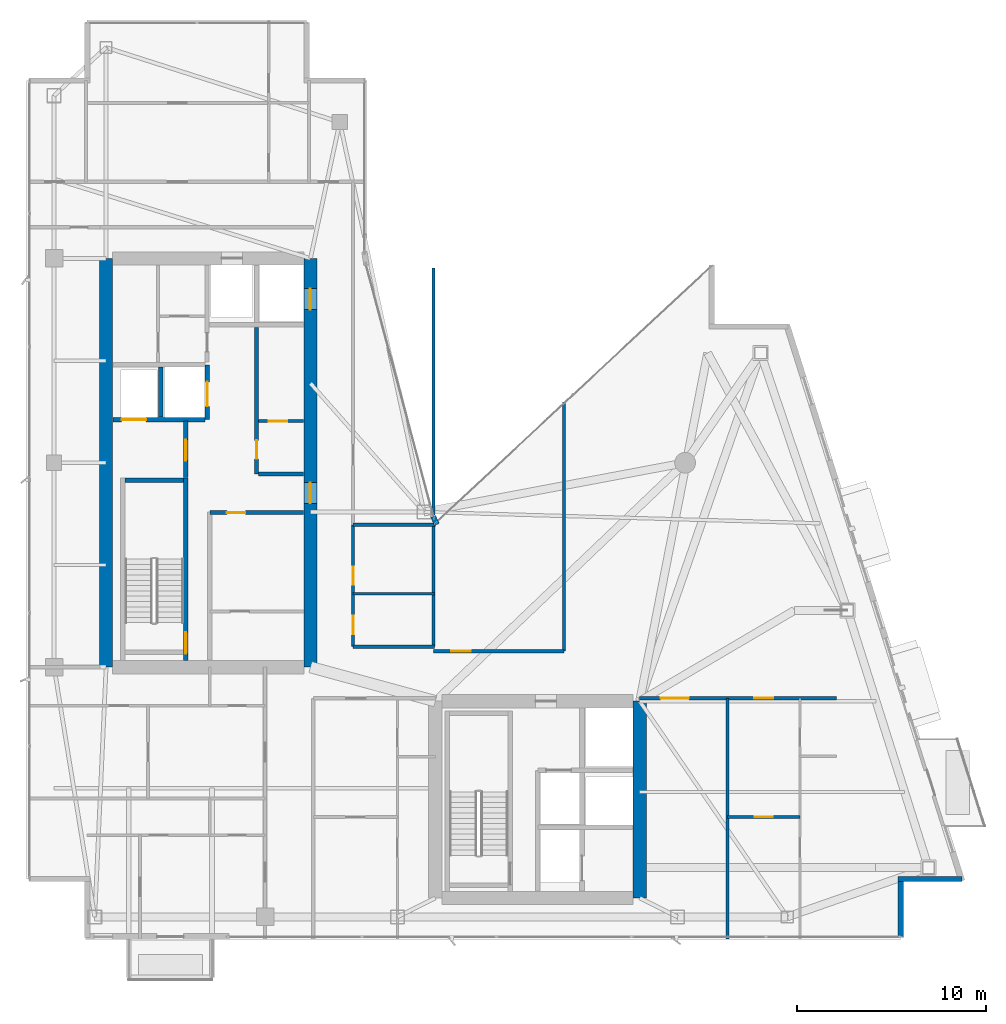
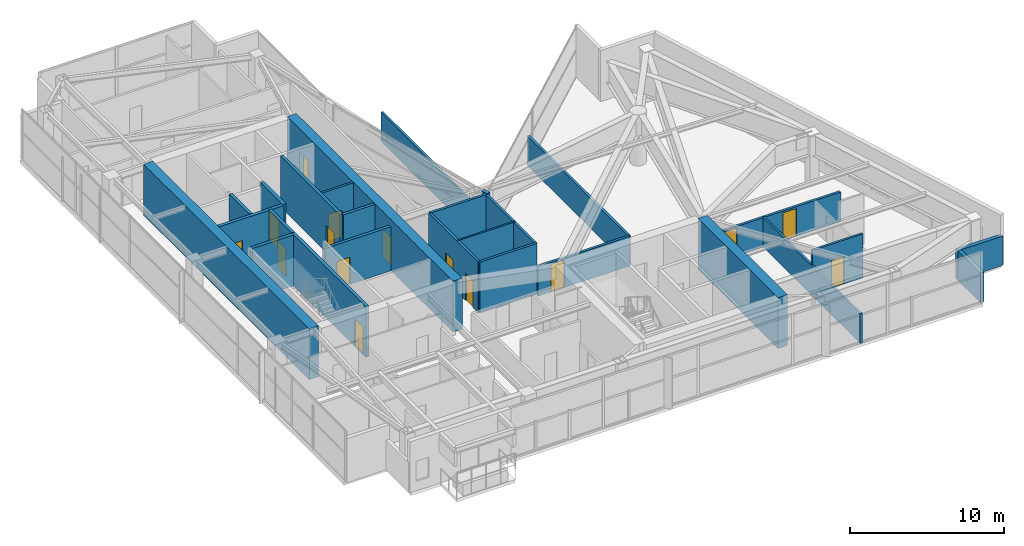
# One storey, part 23 of 27: 27 walls, 15 doors, 15 openings.
"""IFC4 building model written with IfcOpenShell, lengths in metres."""

import ifcopenshell
import ifcopenshell.guid

model = None  # the IFC model being written
_history = None  # IfcOwnerHistory: only IFC2X3 demands one
_inside = {}  # id of a spatial element -> (the spatial element, [elements in it])
_under = {}  # id of a project, library or spatial element -> (it, [spatial elements below it])
_declared = {}  # id of a project -> (the project, [libraries it declares])
_typed = {}  # id of a type object -> (the type object, [elements of that type])
_made_of = {}  # id of a material, layer set ... -> (it, [elements and type objects made of it])


def new_model(schema):
    """Start an empty IFC model of exactly this schema.

    Asked for "IFC4X3", IfcOpenShell would pick the latest addendum, in which some entities
    have other attributes; the version numbers below select the first issue.
    IFC2X3 requires an IfcOwnerHistory on every rooted entity: one is made here for all.
    """
    global model, _history
    if schema == "IFC4X3":
        model = ifcopenshell.file(schema_version=(4, 3, 0, 0))
    else:
        model = ifcopenshell.file(schema=schema)
    _inside.clear()
    _under.clear()
    _declared.clear()
    _typed.clear()
    _made_of.clear()
    _history = None
    if model.schema == "IFC2X3":
        org = make("IfcOrganization", Name="unknown")
        user = make(
            "IfcPersonAndOrganization",
            ThePerson=make("IfcPerson", FamilyName="unknown"),
            TheOrganization=org,
        )
        app = make(
            "IfcApplication",
            ApplicationDeveloper=org,
            Version="unknown",
            ApplicationFullName="unknown",
            ApplicationIdentifier="unknown",
        )
        _history = make(
            "IfcOwnerHistory",
            OwningUser=user,
            OwningApplication=app,
            ChangeAction="ADDED",
            CreationDate=0,
        )
    return model


def make(cls, **values):
    """One entity of the class cls with the attributes given. An attribute that is None is left unset."""
    return model.create_entity(
        cls, **{name: value for name, value in values.items() if value is not None}
    )


def rooted(cls, **values):
    """An entity with a GlobalId (a new one), such as an element, a storey or a relation."""
    return make(cls, GlobalId=ifcopenshell.guid.new(), OwnerHistory=_history, **values)


def si_unit(unit_type, name, prefix=None):
    """IfcSIUnit, for example si_unit("LENGTHUNIT", "METRE", prefix="MILLI")."""
    return make("IfcSIUnit", UnitType=unit_type, Prefix=prefix, Name=name)


def assignment(units):
    """IfcUnitAssignment: the units of a project."""
    return None if units is None else make("IfcUnitAssignment", Units=units)


def point(xyz):
    """IfcCartesianPoint."""
    return None if xyz is None else make("IfcCartesianPoint", Coordinates=xyz)


def direction(xyz):
    """IfcDirection."""
    return None if xyz is None else make("IfcDirection", DirectionRatios=xyz)


def frame(location, z_axis=None, x_axis=None):
    """IfcAxis2Placement3D, a coordinate frame: its origin and axes. An axis left out is left unset."""
    return make(
        "IfcAxis2Placement3D",
        Location=point(location),
        Axis=direction(z_axis),
        RefDirection=direction(x_axis),
    )


def frame_2d(location, x_axis=None):
    """IfcAxis2Placement2D, a coordinate frame in the plane: its origin and x axis."""
    return make(
        "IfcAxis2Placement2D", Location=point(location), RefDirection=direction(x_axis)
    )


def origin():
    """The frame at (0, 0, 0) with its axes left unset."""
    return frame((0.0, 0.0, 0.0))


def place(relative_to, where):
    """IfcLocalPlacement: puts the frame where relative to a parent placement (None: the world)."""
    return make(
        "IfcLocalPlacement", PlacementRelTo=relative_to, RelativePlacement=where
    )


def context(
    kind, dimensions, precision=None, world=None, true_north=None, identifier=None
):
    """IfcGeometricRepresentationContext, for example the 3D "Model" context."""
    return make(
        "IfcGeometricRepresentationContext",
        ContextIdentifier=identifier,
        ContextType=kind,
        CoordinateSpaceDimension=dimensions,
        Precision=precision,
        WorldCoordinateSystem=world,
        TrueNorth=true_north,
    )


def subcontext(parent, identifier, kind, view, scale=None):
    """IfcGeometricRepresentationSubContext, for example "Body" below "Model"."""
    return make(
        "IfcGeometricRepresentationSubContext",
        ContextIdentifier=identifier,
        ContextType=kind,
        ParentContext=parent,
        TargetScale=scale,
        TargetView=view,
    )


def project(units=None, contexts=None):
    """IfcProject with its units and contexts."""
    return rooted(
        "IfcProject",
        Name="project",
        RepresentationContexts=contexts,
        UnitsInContext=assignment(units),
    )


def spatial(cls, under=None, at=None, **own):
    """A site, building, storey or space (cls), placed at a placement, below another one or the project."""
    s = rooted(cls, ObjectPlacement=at, **own)
    if under is not None:
        _under.setdefault(under.id(), (under, []))[1].append(s)
    return s


def profile(cls, at=None, kind="AREA", **sizes):
    """A parametric profile (cls). Its sizes go by their IFC names, for example OverallWidth=200.0."""
    return make(cls, ProfileType=kind, Position=at, **sizes)


def rectangle(**sizes):
    """IfcRectangleProfileDef."""
    return profile("IfcRectangleProfileDef", **sizes)


def extrude(swept, where, along, depth):
    """IfcExtrudedAreaSolid: the profile swept, set in the frame where, extruded along a direction by depth."""
    return make(
        "IfcExtrudedAreaSolid",
        SweptArea=swept,
        Position=where,
        ExtrudedDirection=direction(along),
        Depth=depth,
    )


def shape(context_of_items, identifier, shape_type, items):
    """IfcShapeRepresentation: the items that make up one representation, for example the "Body"."""
    return make(
        "IfcShapeRepresentation",
        ContextOfItems=context_of_items,
        RepresentationIdentifier=identifier,
        RepresentationType=shape_type,
        Items=items,
    )


def material(Name=None, Category=None):
    """IfcMaterial."""
    return make("IfcMaterial", Name=Name, Category=Category)


def layer(
    of_material, thickness, ventilated=None, Name=None, Category=None, Priority=None
):
    """IfcMaterialLayer: one layer of a wall or slab, of a material (None: an air gap)."""
    return make(
        "IfcMaterialLayer",
        Material=of_material,
        LayerThickness=thickness,
        IsVentilated=ventilated,
        Name=Name,
        Category=Category,
        Priority=Priority,
    )


def layer_set(layers, Name=None):
    """IfcMaterialLayerSet."""
    return make("IfcMaterialLayerSet", MaterialLayers=layers, LayerSetName=Name)


def made_of(thing, what):
    """Note that an element or type object is made of a material, layer set ...; save() writes the relation."""
    if what is not None:
        _made_of.setdefault(what.id(), (what, []))[1].append(thing)
    return thing


def type_object(cls, material=None, **own):
    """A type object (cls), such as IfcWallType, which elements share."""
    return made_of(rooted(cls, **own), material)


def element(
    cls,
    number,
    at=None,
    inside=None,
    cuts=None,
    type_object=None,
    material=None,
    context=None,
    identifier="Body",
    shape_type=None,
    held_by="IfcProductDefinitionShape",
    body=None,
    shapes=None,
    **own,
):
    """One element of the class cls, such as IfcWall. Its Tag is "e" and its number.

    at: its placement. inside: the storey or other place that contains it. cuts: it is an
    opening in that element (IfcRelVoidsElement). A single representation is given by context,
    identifier, shape_type and body (its items); several are given by shapes. held_by: the class
    of the entity that holds the representations. save() writes the other relations.
    """
    e = rooted(cls, Tag="e%d" % number, ObjectPlacement=at, **own)
    if body is not None:
        shapes = [shape(context, identifier, shape_type, body)]
    if shapes is not None:
        e.Representation = make(held_by, Representations=shapes)
    if inside is not None:
        _inside.setdefault(inside.id(), (inside, []))[1].append(e)
    if cuts is not None:
        rooted(
            "IfcRelVoidsElement", RelatingBuildingElement=cuts, RelatedOpeningElement=e
        )
    if type_object is not None:
        _typed.setdefault(type_object.id(), (type_object, []))[1].append(e)
    return made_of(e, material)


def fill(opening, filler):
    """IfcRelFillsElement: the door or window that sits in an opening."""
    return rooted(
        "IfcRelFillsElement",
        RelatingOpeningElement=opening,
        RelatedBuildingElement=filler,
    )


def aggregate(whole, parts):
    """IfcRelAggregates: a whole, such as a stair, and the parts it consists of."""
    return rooted("IfcRelAggregates", RelatingObject=whole, RelatedObjects=parts)


def save(model, path):
    """Write the relations noted so far, then the file.

    IfcRelAggregates (storeys below a building ...), IfcRelContainedInSpatialStructure (elements
    in a storey), IfcRelDefinesByType, IfcRelAssociatesMaterial and IfcRelDeclares: one each for
    every whole, place, type object, material and project.
    """
    for whole, parts in _under.values():
        aggregate(whole, parts)
    for where, things in _inside.values():
        rooted(
            "IfcRelContainedInSpatialStructure",
            RelatedElements=things,
            RelatingStructure=where,
        )
    for kind, things in _typed.values():
        rooted("IfcRelDefinesByType", RelatedObjects=things, RelatingType=kind)
    for what, things in _made_of.values():
        rooted("IfcRelAssociatesMaterial", RelatedObjects=things, RelatingMaterial=what)
    for by, libraries in _declared.values():
        rooted("IfcRelDeclares", RelatingContext=by, RelatedDefinitions=libraries)
    model.write(path)


model = new_model("IFC4")

# Units and contexts
model_context = context("Model", 3, precision=1e-05, world=origin(), true_north=direction((0.0, 1.0)))
body_context = subcontext(model_context, "Body", "Model", "MODEL_VIEW")
ifc_project = project(units=[si_unit("LENGTHUNIT", "METRE"), si_unit("AREAUNIT", "SQUARE_METRE"), si_unit("VOLUMEUNIT", "CUBIC_METRE"), si_unit("PLANEANGLEUNIT", "RADIAN"), si_unit("MASSUNIT", "GRAM", prefix="KILO")], contexts=[model_context])

# Site, building, storey
site_placement = place(None, origin())
site = spatial("IfcSite", under=ifc_project, at=site_placement, CompositionType="ELEMENT")
building_placement = place(site_placement, origin())
building = spatial("IfcBuilding", under=site, at=building_placement, Name="Calvorn Quay Hotel", CompositionType="ELEMENT")
storey_placement = place(building_placement, frame((0.0, 0.0, 239.300048828125)))
storey = spatial("IfcBuildingStorey", under=building, at=storey_placement, Name="L59", CompositionType="ELEMENT", Elevation=239.300048828125)

# Wall
ifc_material_1 = material(Name="Concrete C45", Category="concrete")
ifc_layer_1 = layer(ifc_material_1, 0.699951171875)
ifc_layer_set_1 = layer_set([ifc_layer_1], Name="WL-CORE-700")
wall_type_1 = type_object("IfcWallType", Name="WL-CORE-700", PredefinedType="SHEAR", material=ifc_layer_set_1)
wall_1_placement = place(storey_placement, frame((4.199951171875, 16.800048828125, 0.0), z_axis=(0.0, 0.0, 1.0), x_axis=(0.0, 1.0, 0.0)))
element("IfcWall", 1, at=wall_1_placement, inside=storey, type_object=wall_type_1, Name="West Core Shear Wall W (L59)", PredefinedType="SHEAR", context=body_context, shape_type="SweptSolid", body=[
    extrude(rectangle(XDim=21.599853515625, YDim=0.699951171875, at=frame_2d((10.7998046875, 0.0))), origin(), (0.0, 0.0, 1.0), 4.050048828125),
])

# Wall, openings, doors
wall_2_placement = place(storey_placement, frame((15.0, 16.800048828125, 0.0), z_axis=(0.0, 0.0, 1.0), x_axis=(0.0, 1.0, 0.0)))
wall_2 = element("IfcWall", 2, at=wall_2_placement, inside=storey, type_object=wall_type_1, Name="West Core Shear Wall E (L59)", PredefinedType="SHEAR", context=body_context, shape_type="SweptSolid", body=[
    extrude(rectangle(XDim=21.599853515625, YDim=0.699951171875, at=frame_2d((10.7998046875, 0.0))), origin(), (0.0, 0.0, 1.0), 4.050048828125),
])
opening_1_placement = place(wall_2_placement, frame((8.64990234375, 0.0, 0.0)))
opening_1 = element("IfcOpeningElement", 3, at=opening_1_placement, cuts=wall_2, Name="Opening D-L59-CW1", PredefinedType="OPENING", context=body_context, shape_type="SweptSolid", body=[
    extrude(rectangle(XDim=1.10009765625, YDim=2.199951171875, at=frame_2d((0.550048828125, 1.10009765625))), frame((0.0, 0.35986328125, 0.0), z_axis=(0.0, -1.0, 0.0), x_axis=(1.0, 0.0, 0.0)), (0.0, 0.0, 1.0), 0.719970703125),
])
opening_2_placement = place(wall_2_placement, frame((18.89990234375, 0.0, 0.0)))
opening_2 = element("IfcOpeningElement", 4, at=opening_2_placement, cuts=wall_2, Name="Opening LD-L59-H1", PredefinedType="OPENING", context=body_context, shape_type="SweptSolid", body=[
    extrude(rectangle(XDim=1.10009765625, YDim=2.199951171875, at=frame_2d((0.550048828125, 1.10009765625))), frame((0.0, 0.35986328125, 0.0), z_axis=(0.0, -1.0, 0.0), x_axis=(1.0, 0.0, 0.0)), (0.0, 0.0, 1.0), 0.719970703125),
])
ifc_material_2 = material(Name="Smoke-Sealed Steel Class A Fire Door", Category="steel")
door_type_1 = type_object("IfcDoorType", Name="DR-FFLOBBY-1100", OperationType="NOTDEFINED", PredefinedType="DOOR", material=ifc_material_2)
door_1_placement = place(opening_1_placement, origin())
door_1 = element("IfcDoor", 5, at=door_1_placement, inside=storey, type_object=door_type_1, Name="West Core Vestibule Fire Door (L59)", OperationType="SINGLE_SWING_RIGHT", OverallHeight=2.199951171875, OverallWidth=1.10009765625, PredefinedType="DOOR", context=body_context, shape_type="SweptSolid", body=[
    extrude(rectangle(XDim=1.10009765625, YDim=2.199951171875, at=frame_2d((0.550048828125, 1.10009765625))), frame((0.0, 0.02490234375, 0.0), z_axis=(0.0, -1.0, 0.0), x_axis=(1.0, 0.0, 0.0)), (0.0, 0.0, 1.0), 0.050048828125),
])
fill(opening_1, door_1)
ifc_material_3 = material(Name="Brushed Stainless Steel Sliding Lift Landing Door", Category="steel")
door_type_2 = type_object("IfcDoorType", Name="DR-LIFT-PASS-1100", OperationType="NOTDEFINED", PredefinedType="DOOR", material=ifc_material_3)
door_2_placement = place(opening_2_placement, origin())
door_2 = element("IfcDoor", 6, at=door_2_placement, inside=storey, type_object=door_type_2, Name="High-Rise Lift PL-H1 Landing Door (L59)", OperationType="DOUBLE_DOOR_SLIDING", OverallHeight=2.199951171875, OverallWidth=1.10009765625, PredefinedType="DOOR", context=body_context, shape_type="SweptSolid", body=[
    extrude(rectangle(XDim=1.10009765625, YDim=2.199951171875, at=frame_2d((0.550048828125, 1.10009765625))), frame((0.0, 0.02490234375, 0.0), z_axis=(0.0, -1.0, 0.0), x_axis=(1.0, 0.0, 0.0)), (0.0, 0.0, 1.0), 0.050048828125),
])
fill(opening_2, door_2)

# Walls
wall_3_placement = place(storey_placement, frame((32.39990234375, 4.60009765625, 0.0), z_axis=(0.0, 0.0, 1.0), x_axis=(0.0, 1.0, 0.0)))
element("IfcWall", 7, at=wall_3_placement, inside=storey, type_object=wall_type_1, Name="East Core Shear Wall E (L59)", PredefinedType="SHEAR", context=body_context, shape_type="SweptSolid", body=[
    extrude(rectangle(XDim=10.39990234375, YDim=0.699951171875, at=frame_2d((5.199951171875, 0.0))), origin(), (0.0, 0.0, 1.0), 4.050048828125),
])
ifc_material_4 = material(Name="Acoustic Fireboard Steel-Stud Partition", Category="steel")
ifc_layer_2 = layer(ifc_material_4, 0.179931640625)
ifc_layer_set_2 = layer_set([ifc_layer_2], Name="WL-CORR-FIRE-180")
wall_type_2 = type_object("IfcWallType", Name="WL-CORR-FIRE-180", PredefinedType="PARTITIONING", material=ifc_layer_set_2)
wall_4_placement = place(storey_placement, frame((17.25, 17.8798828125, 0.0), z_axis=(0.0, 0.0, 1.0), x_axis=(1.0, 0.0, 0.0)))
element("IfcWall", 8, at=wall_4_placement, inside=storey, type_object=wall_type_2, Name="Partition Wall L59-WL-HK-S", PredefinedType="PARTITIONING", context=body_context, shape_type="SweptSolid", body=[
    extrude(rectangle(XDim=4.300048828125, YDim=0.179931640625, at=frame_2d((2.14990234375, 0.0))), origin(), (0.0, 0.0, 1.0), 4.050048828125),
])
wall_5_placement = place(storey_placement, frame((17.25, 24.320068359375, 0.0), z_axis=(0.0, 0.0, 1.0), x_axis=(1.0, 0.0, 0.0)))
element("IfcWall", 9, at=wall_5_placement, inside=storey, type_object=wall_type_2, Name="Partition Wall L59-WL-HK-N", PredefinedType="PARTITIONING", context=body_context, shape_type="SweptSolid", body=[
    extrude(rectangle(XDim=4.35009765625, YDim=0.179931640625, at=frame_2d((2.175048828125, 0.0))), origin(), (0.0, 0.0, 1.0), 4.050048828125),
])
wall_6_placement = place(storey_placement, frame((21.5, 17.8798828125, 0.0), z_axis=(0.0, 0.0, 1.0), x_axis=(0.0, 1.0, 0.0)))
element("IfcWall", 10, at=wall_6_placement, inside=storey, type_object=wall_type_2, Name="Partition Wall L59-WL-HK-E", PredefinedType="PARTITIONING", context=body_context, shape_type="SweptSolid", body=[
    extrude(rectangle(XDim=6.440185546875, YDim=0.179931640625, at=frame_2d((3.22021484375, 0.0))), origin(), (0.0, 0.0, 1.0), 4.050048828125),
])

# Wall, openings, doors
wall_7_placement = place(storey_placement, frame((17.25, 17.8798828125, 0.0), z_axis=(0.0, 0.0, 1.0), x_axis=(0.0, 1.0, 0.0)))
wall_7 = element("IfcWall", 11, at=wall_7_placement, inside=storey, type_object=wall_type_2, Name="Partition Wall L59-WL-HK-W", PredefinedType="PARTITIONING", context=body_context, shape_type="SweptSolid", body=[
    extrude(rectangle(XDim=6.440185546875, YDim=0.179931640625, at=frame_2d((3.22021484375, 0.0))), origin(), (0.0, 0.0, 1.0), 4.050048828125),
])
opening_3_placement = place(wall_7_placement, frame((0.64990234375, 0.0, 0.0)))
opening_3 = element("IfcOpeningElement", 12, at=opening_3_placement, cuts=wall_7, Name="Opening D-L59-HK", PredefinedType="OPENING", context=body_context, shape_type="SweptSolid", body=[
    extrude(rectangle(XDim=0.97998046875, YDim=2.14990234375, at=frame_2d((0.489990234375, 1.074951171875))), frame((0.0, 0.099853515625, 0.0), z_axis=(0.0, -1.0, 0.0), x_axis=(1.0, 0.0, 0.0)), (0.0, 0.0, 1.0), 0.199951171875),
])
opening_4_placement = place(wall_7_placement, frame((3.27001953125, 0.0, 0.0)))
opening_4 = element("IfcOpeningElement", 13, at=opening_4_placement, cuts=wall_7, Name="Opening D-L59-NCP", PredefinedType="OPENING", context=body_context, shape_type="SweptSolid", body=[
    extrude(rectangle(XDim=0.9599609375, YDim=2.199951171875, at=frame_2d((0.47998046875, 1.10009765625))), frame((0.0, 0.099853515625, 0.0), z_axis=(0.0, -1.0, 0.0), x_axis=(1.0, 0.0, 0.0)), (0.0, 0.0, 1.0), 0.199951171875),
])
ifc_material_5 = material(Name="Painted Steel Housekeeping/Riser Fire Door", Category="steel")
door_type_3 = type_object("IfcDoorType", Name="DR-SERVICE-980", OperationType="NOTDEFINED", PredefinedType="DOOR", material=ifc_material_5)
door_3_placement = place(opening_3_placement, origin())
door_3 = element("IfcDoor", 14, at=door_3_placement, inside=storey, type_object=door_type_3, Name="Floor Housekeeping Door (L59)", OperationType="SINGLE_SWING_LEFT", OverallHeight=2.14990234375, OverallWidth=0.97998046875, PredefinedType="DOOR", context=body_context, shape_type="SweptSolid", body=[
    extrude(rectangle(XDim=0.97998046875, YDim=2.14990234375, at=frame_2d((0.489990234375, 1.074951171875))), frame((0.0, 0.02490234375, 0.0), z_axis=(0.0, -1.0, 0.0), x_axis=(1.0, 0.0, 0.0)), (0.0, 0.0, 1.0), 0.050048828125),
])
fill(opening_3, door_3)
ifc_material_6 = material(Name="Solid Timber Internal Suite Door", Category="wood")
door_type_4 = type_object("IfcDoorType", Name="DR-SUITE-INT-960", OperationType="NOTDEFINED", PredefinedType="DOOR", material=ifc_material_6)
door_4_placement = place(opening_4_placement, origin())
door_4 = element("IfcDoor", 15, at=door_4_placement, inside=storey, type_object=door_type_4, Name="Reading Alcove Door (L59)", OperationType="SINGLE_SWING_RIGHT", OverallHeight=2.199951171875, OverallWidth=0.9599609375, PredefinedType="DOOR", context=body_context, shape_type="SweptSolid", body=[
    extrude(rectangle(XDim=0.9599609375, YDim=2.199951171875, at=frame_2d((0.47998046875, 1.10009765625))), frame((0.0, 0.02490234375, 0.0), z_axis=(0.0, -1.0, 0.0), x_axis=(1.0, 0.0, 0.0)), (0.0, 0.0, 1.0), 0.050048828125),
])
fill(opening_4, door_4)

wall_8_placement = place(storey_placement, frame((32.39990234375, 15.14990234375, 0.0), z_axis=(0.0, 0.0, 1.0), x_axis=(1.0, 0.0, 0.0)))
wall_8 = element("IfcWall", 16, at=wall_8_placement, inside=storey, type_object=wall_type_2, Name="Partition Wall L59-WL-CORR-SE-S", PredefinedType="PARTITIONING", context=body_context, shape_type="SweptSolid", body=[
    extrude(rectangle(XDim=10.400146484375, YDim=0.179931640625, at=frame_2d((5.2001953125, 0.0))), origin(), (0.0, 0.0, 1.0), 2.349853515625),
])
opening_5_placement = place(wall_8_placement, frame((1.10009765625, 0.0, 0.0)))
opening_5 = element("IfcOpeningElement", 17, at=opening_5_placement, cuts=wall_8, Name="Opening D-L59-SEM", PredefinedType="OPENING", context=body_context, shape_type="SweptSolid", body=[
    extrude(rectangle(XDim=1.5, YDim=2.219970703125, at=frame_2d((0.75, 1.10986328125))), frame((0.0, 0.099853515625, 0.0), z_axis=(0.0, -1.0, 0.0), x_axis=(1.0, 0.0, 0.0)), (0.0, 0.0, 1.0), 0.199951171875),
])
opening_6_placement = place(wall_8_placement, frame((6.050048828125, 0.0, 0.0)))
opening_6 = element("IfcOpeningElement", 18, at=opening_6_placement, cuts=wall_8, Name="Opening D-L59-U05", PredefinedType="OPENING", context=body_context, shape_type="SweptSolid", body=[
    extrude(rectangle(XDim=1.02001953125, YDim=2.199951171875, at=frame_2d((0.510009765625, 1.10009765625))), frame((0.0, 0.099853515625, 0.0), z_axis=(0.0, -1.0, 0.0), x_axis=(1.0, 0.0, 0.0)), (0.0, 0.0, 1.0), 0.199951171875),
])
ifc_material_7 = material(Name="Solid-Core Walnut Veneer Hotel Fire Door")
door_type_5 = type_object("IfcDoorType", Name="DR-GUEST-ENTRY-1020", OperationType="NOTDEFINED", PredefinedType="DOOR", material=ifc_material_7)
door_5_placement = place(opening_6_placement, origin())
door_5 = element("IfcDoor", 19, at=door_5_placement, inside=storey, type_object=door_type_5, Name="South-East Unit Door U05 (L59)", OperationType="SINGLE_SWING_RIGHT", OverallHeight=2.199951171875, OverallWidth=1.02001953125, PredefinedType="DOOR", context=body_context, shape_type="SweptSolid", body=[
    extrude(rectangle(XDim=1.02001953125, YDim=2.199951171875, at=frame_2d((0.510009765625, 1.10009765625))), frame((0.0, 0.02490234375, 0.0), z_axis=(0.0, -1.0, 0.0), x_axis=(1.0, 0.0, 0.0)), (0.0, 0.0, 1.0), 0.050048828125),
])
fill(opening_6, door_5)
ifc_material_8 = material(Name="Solid-Core Walnut Double Suite Entry Door")
door_type_6 = type_object("IfcDoorType", Name="DR-SUITE-DBL-1500", OperationType="NOTDEFINED", PredefinedType="DOOR", material=ifc_material_8)
door_6_placement = place(opening_5_placement, origin())
door_6 = element("IfcDoor", 20, at=door_6_placement, inside=storey, type_object=door_type_6, Name="Conference Salon Door (L59)", OperationType="SINGLE_SWING_LEFT", OverallHeight=2.219970703125, OverallWidth=1.5, PredefinedType="DOOR", context=body_context, shape_type="SweptSolid", body=[
    extrude(rectangle(XDim=1.5, YDim=2.219970703125, at=frame_2d((0.75, 1.10986328125))), frame((0.0, 0.02490234375, 0.0), z_axis=(0.0, -1.0, 0.0), x_axis=(1.0, 0.0, 0.0)), (0.0, 0.0, 1.0), 0.050048828125),
])
fill(opening_5, door_6)

# Wall, opening, door
wall_9_placement = place(storey_placement, frame((21.5, 17.64990234375, 0.0), z_axis=(0.0, 0.0, 1.0), x_axis=(1.0, 0.0, 0.0)))
wall_9 = element("IfcWall", 21, at=wall_9_placement, inside=storey, type_object=wall_type_2, Name="Partition Wall L59-WL-CORR-NE-N", PredefinedType="PARTITIONING", context=body_context, shape_type="SweptSolid", body=[
    extrude(rectangle(XDim=6.89990234375, YDim=0.179931640625, at=frame_2d((3.449951171875, 0.0))), origin(), (0.0, 0.0, 1.0), 2.349853515625),
])
opening_7_placement = place(wall_9_placement, frame((0.949951171875, 0.0, 0.0)))
opening_7 = element("IfcOpeningElement", 22, at=opening_7_placement, cuts=wall_9, Name="Opening D-L59-NS1", PredefinedType="OPENING", context=body_context, shape_type="SweptSolid", body=[
    extrude(rectangle(XDim=1.02001953125, YDim=2.199951171875, at=frame_2d((0.510009765625, 1.10009765625))), frame((0.0, 0.099853515625, 0.0), z_axis=(0.0, -1.0, 0.0), x_axis=(1.0, 0.0, 0.0)), (0.0, 0.0, 1.0), 0.199951171875),
])
door_7_placement = place(opening_7_placement, origin())
door_7 = element("IfcDoor", 23, at=door_7_placement, inside=storey, type_object=door_type_5, Name="Conservatory Salon Door 1 (L59)", OperationType="SINGLE_SWING_RIGHT", OverallHeight=2.199951171875, OverallWidth=1.02001953125, PredefinedType="DOOR", context=body_context, shape_type="SweptSolid", body=[
    extrude(rectangle(XDim=1.02001953125, YDim=2.199951171875, at=frame_2d((0.510009765625, 1.10009765625))), frame((0.0, 0.02490234375, 0.0), z_axis=(0.0, -1.0, 0.0), x_axis=(1.0, 0.0, 0.0)), (0.0, 0.0, 1.0), 0.050048828125),
])
fill(opening_7, door_7)

# Walls
wall_10_placement = place(storey_placement, frame((28.39990234375, 17.64990234375, 0.0), z_axis=(0.0, 0.0, 1.0), x_axis=(0.0, 1.0, 0.0)))
element("IfcWall", 24, at=wall_10_placement, inside=storey, type_object=wall_type_2, Name="Partition Wall L59-WL-NE-END-E", PredefinedType="PARTITIONING", context=body_context, shape_type="SweptSolid", body=[
    extrude(rectangle(XDim=13.16015625, YDim=0.179931640625, at=frame_2d((6.580078125, 0.0))), origin(), (0.0, 0.0, 1.0), 2.349853515625),
])
ifc_material_9 = material(Name="Moisture-Resistant Tile-Backed Partition")
ifc_layer_3 = layer(ifc_material_9, 0.125)
ifc_layer_set_3 = layer_set([ifc_layer_3], Name="WL-ENSUITE-125")
wall_type_3 = type_object("IfcWallType", Name="WL-ENSUITE-125", PredefinedType="PARTITIONING", material=ifc_layer_set_3)
wall_11_placement = place(storey_placement, frame((17.25, 20.679931640625, 0.0), z_axis=(0.0, 0.0, 1.0), x_axis=(1.0, 0.0, 0.0)))
element("IfcWall", 25, at=wall_11_placement, inside=storey, type_object=wall_type_3, Name="Partition Wall L59-WL-HK-M", PredefinedType="PARTITIONING", context=body_context, shape_type="SweptSolid", body=[
    extrude(rectangle(XDim=4.300048828125, YDim=0.125, at=frame_2d((2.14990234375, 0.0))), origin(), (0.0, 0.0, 1.0), 4.050048828125),
])
ifc_material_10 = material(Name="Concrete C40", Category="concrete")
ifc_layer_4 = layer(ifc_material_10, 0.320068359375)
ifc_layer_set_4 = layer_set([ifc_layer_4], Name="WL-EXT-SPANDREL-320")
wall_type_4 = type_object("IfcWallType", Name="WL-EXT-SPANDREL-320", PredefinedType="SOLIDWALL", material=ifc_layer_set_4)
wall_12_placement = place(storey_placement, frame((21.679931640625, 24.340087890625, 0.0), z_axis=(0.0, 0.0, 1.0), x_axis=(-0.40758134973, 0.913168901875, 0.0)))
element("IfcWall", 26, at=wall_12_placement, inside=storey, type_object=wall_type_4, Name="Inner Court Corner Pier L59-ICJ1", PredefinedType="SOLIDWALL", context=body_context, shape_type="SweptSolid", body=[
    extrude(rectangle(XDim=0.470703125, YDim=0.280029296875, at=frame_2d((0.2353515625, 0.0))), origin(), (0.0, 0.0, 1.0), 4.050048828125),
])
wall_13_placement = place(storey_placement, frame((46.199951171875, 2.52001953125, 0.0), z_axis=(0.0, 0.0, 1.0), x_axis=(0.0, 1.0, 0.0)))
element("IfcWall", 27, at=wall_13_placement, inside=storey, type_object=wall_type_4, Name="Notched Corner Spandrel L59-SE1", PredefinedType="SOLIDWALL", context=body_context, shape_type="SweptSolid", body=[
    extrude(rectangle(XDim=2.93994140625, YDim=0.280029296875, at=frame_2d((1.469970703125, 0.0))), origin(), (0.0, 0.0, 1.0), 2.349853515625),
])
wall_14_placement = place(storey_placement, frame((46.06005859375, 5.60009765625, 0.0), z_axis=(0.0, 0.0, 1.0), x_axis=(1.0, 0.0, 0.0)))
element("IfcWall", 28, at=wall_14_placement, inside=storey, type_object=wall_type_4, Name="Notched Corner Spandrel L59-SE2", PredefinedType="SOLIDWALL", context=body_context, shape_type="SweptSolid", body=[
    extrude(rectangle(XDim=3.3798828125, YDim=0.280029296875, at=frame_2d((1.68994140625, 0.0))), origin(), (0.0, 0.0, 1.0), 2.349853515625),
])

# Wall, opening, door
ifc_material_11 = material(Name="Double-Stud Acoustic Gypsum Partition")
ifc_layer_5 = layer(ifc_material_11, 0.159912109375)
ifc_layer_set_5 = layer_set([ifc_layer_5], Name="WL-INTERSUITE-160")
wall_type_5 = type_object("IfcWallType", Name="WL-INTERSUITE-160", PredefinedType="PARTITIONING", material=ifc_layer_set_5)
wall_15_placement = place(storey_placement, frame((12.25, 29.800048828125, 0.0), z_axis=(0.0, 0.0, 1.0), x_axis=(1.0, 0.0, 0.0)))
wall_15 = element("IfcWall", 29, at=wall_15_placement, inside=storey, type_object=wall_type_5, Name="Partition Wall L59-WL-CWW-FM-SPLIT", PredefinedType="PARTITIONING", context=body_context, shape_type="SweptSolid", body=[
    extrude(rectangle(XDim=2.3798828125, YDim=0.159912109375, at=frame_2d((1.18994140625, 0.0))), origin(), (0.0, 0.0, 1.0), 4.050048828125),
])
opening_8_placement = place(wall_15_placement, frame((0.550048828125, 0.0, 0.0)))
opening_8 = element("IfcOpeningElement", 30, at=opening_8_placement, cuts=wall_15, Name="Opening D-L59-FM2", PredefinedType="OPENING", context=body_context, shape_type="SweptSolid", body=[
    extrude(rectangle(XDim=0.97998046875, YDim=2.14990234375, at=frame_2d((0.489990234375, 1.074951171875))), frame((0.0, 0.08984375, 0.0), z_axis=(0.0, -1.0, 0.0), x_axis=(1.0, 0.0, 0.0)), (0.0, 0.0, 1.0), 0.179931640625),
])
door_8_placement = place(opening_8_placement, origin())
door_8 = element("IfcDoor", 31, at=door_8_placement, inside=storey, type_object=door_type_3, Name="Comms Room Door (L59)", OperationType="SINGLE_SWING_LEFT", OverallHeight=2.14990234375, OverallWidth=0.97998046875, PredefinedType="DOOR", context=body_context, shape_type="SweptSolid", body=[
    extrude(rectangle(XDim=0.97998046875, YDim=2.14990234375, at=frame_2d((0.489990234375, 1.074951171875))), frame((0.0, 0.02490234375, 0.0), z_axis=(0.0, -1.0, 0.0), x_axis=(1.0, 0.0, 0.0)), (0.0, 0.0, 1.0), 0.050048828125),
])
fill(opening_8, door_8)

wall_16_placement = place(storey_placement, frame((37.050048828125, 8.8798828125, 0.0), z_axis=(0.0, 0.0, 1.0), x_axis=(1.0, 0.0, 0.0)))
wall_16 = element("IfcWall", 32, at=wall_16_placement, inside=storey, type_object=wall_type_5, Name="Partition Wall L59-WL-U05-MSP", PredefinedType="PARTITIONING", context=body_context, shape_type="SweptSolid", body=[
    extrude(rectangle(XDim=3.820068359375, YDim=0.159912109375, at=frame_2d((1.91015625, 0.0))), origin(), (0.0, 0.0, 1.0), 3.5),
])
opening_9_placement = place(wall_16_placement, frame((1.429931640625, 0.0, 0.0)))
opening_9 = element("IfcOpeningElement", 33, at=opening_9_placement, cuts=wall_16, Name="Opening D-L59-M05", PredefinedType="OPENING", context=body_context, shape_type="SweptSolid", body=[
    extrude(rectangle(XDim=0.9599609375, YDim=2.199951171875, at=frame_2d((0.47998046875, 1.10009765625))), frame((0.0, 0.08984375, 0.0), z_axis=(0.0, -1.0, 0.0), x_axis=(1.0, 0.0, 0.0)), (0.0, 0.0, 1.0), 0.179931640625),
])
door_9_placement = place(opening_9_placement, origin())
door_9 = element("IfcDoor", 34, at=door_9_placement, inside=storey, type_object=door_type_4, Name="Suite Bedroom Door 05", OperationType="SINGLE_SWING_LEFT", OverallHeight=2.199951171875, OverallWidth=0.9599609375, PredefinedType="DOOR", context=body_context, shape_type="SweptSolid", body=[
    extrude(rectangle(XDim=0.9599609375, YDim=2.199951171875, at=frame_2d((0.47998046875, 1.10009765625))), frame((0.0, 0.02490234375, 0.0), z_axis=(0.0, -1.0, 0.0), x_axis=(1.0, 0.0, 0.0)), (0.0, 0.0, 1.0), 0.050048828125),
])
fill(opening_9, door_9)

# Walls
wall_17_placement = place(storey_placement, frame((37.050048828125, 2.43994140625, 0.0), z_axis=(0.0, 0.0, 1.0), x_axis=(0.0, 1.0, 0.0)))
element("IfcWall", 35, at=wall_17_placement, inside=storey, type_object=wall_type_5, Name="Partition Wall L59-WL-SE-DIV-1", PredefinedType="PARTITIONING", context=body_context, shape_type="SweptSolid", body=[
    extrude(rectangle(XDim=12.7099609375, YDim=0.159912109375, at=frame_2d((6.35498046875, 0.0))), origin(), (0.0, 0.0, 1.0), 2.349853515625),
])
wall_18_placement = place(storey_placement, frame((21.5, 24.85009765625, 0.0), z_axis=(0.0, 0.0, 1.0), x_axis=(0.0, 1.0, 0.0)))
element("IfcWall", 36, at=wall_18_placement, inside=storey, type_object=wall_type_5, Name="Partition Wall L59-WL-NC-UPPER-E", PredefinedType="PARTITIONING", context=body_context, shape_type="SweptSolid", body=[
    extrude(rectangle(XDim=13.0498046875, YDim=0.159912109375, at=frame_2d((6.52490234375, 0.0))), origin(), (0.0, 0.0, 1.0), 2.349853515625),
])

# Wall, opening, door
ifc_material_12 = material(Name="Autoclaved Aerated Masonry Block", Category="masonry")
ifc_layer_6 = layer(ifc_material_12, 0.219970703125)
ifc_layer_set_6 = layer_set([ifc_layer_6], Name="WL-LOBBY-FIRE-220")
wall_type_6 = type_object("IfcWallType", Name="WL-LOBBY-FIRE-220", PredefinedType="SOLIDWALL", material=ifc_layer_set_6)
wall_19_placement = place(storey_placement, frame((9.679931640625, 24.969970703125, 0.0), z_axis=(0.0, 0.0, 1.0), x_axis=(1.0, 0.0, 0.0)))
wall_19 = element("IfcWall", 37, at=wall_19_placement, inside=storey, type_object=wall_type_6, Name="Partition Wall L59-WL-CWW-FR-N", PredefinedType="SOLIDWALL", context=body_context, shape_type="SweptSolid", body=[
    extrude(rectangle(XDim=4.949951171875, YDim=0.219970703125, at=frame_2d((2.47509765625, 0.0))), origin(), (0.0, 0.0, 1.0), 3.5),
])
opening_10_placement = place(wall_19_placement, frame((0.89990234375, 0.0, 0.0)))
opening_10 = element("IfcOpeningElement", 38, at=opening_10_placement, cuts=wall_19, Name="Opening D-L59-FRL2", PredefinedType="OPENING", context=body_context, shape_type="SweptSolid", body=[
    extrude(rectangle(XDim=0.97998046875, YDim=2.14990234375, at=frame_2d((0.489990234375, 1.074951171875))), frame((0.0, 0.119873046875, 0.0), z_axis=(0.0, -1.0, 0.0), x_axis=(1.0, 0.0, 0.0)), (0.0, 0.0, 1.0), 0.239990234375),
])
door_10_placement = place(opening_10_placement, origin())
door_10 = element("IfcDoor", 39, at=door_10_placement, inside=storey, type_object=door_type_3, Name="Beverage Pantry Door (L59)", OperationType="SINGLE_SWING_RIGHT", OverallHeight=2.14990234375, OverallWidth=0.97998046875, PredefinedType="DOOR", context=body_context, shape_type="SweptSolid", body=[
    extrude(rectangle(XDim=0.97998046875, YDim=2.14990234375, at=frame_2d((0.489990234375, 1.074951171875))), frame((0.0, 0.02490234375, 0.0), z_axis=(0.0, -1.0, 0.0), x_axis=(1.0, 0.0, 0.0)), (0.0, 0.0, 1.0), 0.050048828125),
])
fill(opening_10, door_10)

# Wall
wall_20_placement = place(storey_placement, frame((12.25, 27.0, 0.0), z_axis=(0.0, 0.0, 1.0), x_axis=(1.0, 0.0, 0.0)))
element("IfcWall", 40, at=wall_20_placement, inside=storey, type_object=wall_type_6, Name="Partition Wall L59-WL-CWW-FM-S", PredefinedType="SOLIDWALL", context=body_context, shape_type="SweptSolid", body=[
    extrude(rectangle(XDim=2.3798828125, YDim=0.219970703125, at=frame_2d((1.18994140625, 0.0))), origin(), (0.0, 0.0, 1.0), 4.050048828125),
])

# Wall, opening, door
wall_21_placement = place(storey_placement, frame((12.14990234375, 27.0, 0.0), z_axis=(0.0, 0.0, 1.0), x_axis=(0.0, 1.0, 0.0)))
wall_21 = element("IfcWall", 41, at=wall_21_placement, inside=storey, type_object=wall_type_6, Name="Partition Wall L59-WL-CWW-FM-W", PredefinedType="SOLIDWALL", context=body_context, shape_type="SweptSolid", body=[
    extrude(rectangle(XDim=7.75, YDim=0.219970703125, at=frame_2d((3.875, 0.0))), origin(), (0.0, 0.0, 1.0), 4.050048828125),
])
opening_11_placement = place(wall_21_placement, frame((0.800048828125, 0.0, 0.0)))
opening_11 = element("IfcOpeningElement", 42, at=opening_11_placement, cuts=wall_21, Name="Opening D-L59-FM1", PredefinedType="OPENING", context=body_context, shape_type="SweptSolid", body=[
    extrude(rectangle(XDim=0.97998046875, YDim=2.14990234375, at=frame_2d((0.489990234375, 1.074951171875))), frame((0.0, 0.119873046875, 0.0), z_axis=(0.0, -1.0, 0.0), x_axis=(1.0, 0.0, 0.0)), (0.0, 0.0, 1.0), 0.239990234375),
])
door_11_placement = place(opening_11_placement, origin())
door_11 = element("IfcDoor", 43, at=door_11_placement, inside=storey, type_object=door_type_3, Name="Butler Pantry Door (L59)", OperationType="SINGLE_SWING_RIGHT", OverallHeight=2.14990234375, OverallWidth=0.97998046875, PredefinedType="DOOR", context=body_context, shape_type="SweptSolid", body=[
    extrude(rectangle(XDim=0.97998046875, YDim=2.14990234375, at=frame_2d((0.489990234375, 1.074951171875))), frame((0.0, 0.02490234375, 0.0), z_axis=(0.0, -1.0, 0.0), x_axis=(1.0, 0.0, 0.0)), (0.0, 0.0, 1.0), 0.050048828125),
])
fill(opening_11, door_11)

ifc_material_13 = material(Name="Concrete C40", Category="concrete")
ifc_layer_7 = layer(ifc_material_13, 0.239990234375)
ifc_layer_set_7 = layer_set([ifc_layer_7], Name="WL-SHAFT-240")
wall_type_7 = type_object("IfcWallType", Name="WL-SHAFT-240", PredefinedType="SOLIDWALL", material=ifc_layer_set_7)
wall_22_placement = place(storey_placement, frame((8.419921875, 17.14990234375, 0.0), z_axis=(0.0, 0.0, 1.0), x_axis=(0.0, 1.0, 0.0)))
wall_22 = element("IfcWall", 44, at=wall_22_placement, inside=storey, type_object=wall_type_7, Name="Stair STW Shaft Wall E (L59)", PredefinedType="SOLIDWALL", context=body_context, shape_type="SweptSolid", body=[
    extrude(rectangle(XDim=9.64013671875, YDim=0.239990234375, at=frame_2d((4.820068359375, 0.0))), origin(), (0.0, 0.0, 1.0), 4.050048828125),
])
opening_12_placement = place(wall_22_placement, frame((0.35009765625, 0.0, 0.0)))
opening_12 = element("IfcOpeningElement", 45, at=opening_12_placement, cuts=wall_22, Name="Opening D-L59-STW", PredefinedType="OPENING", context=body_context, shape_type="SweptSolid", body=[
    extrude(rectangle(XDim=1.14990234375, YDim=2.199951171875, at=frame_2d((0.574951171875, 1.10009765625))), frame((0.0, 0.1298828125, 0.0), z_axis=(0.0, -1.0, 0.0), x_axis=(1.0, 0.0, 0.0)), (0.0, 0.0, 1.0), 0.260009765625),
])
ifc_material_14 = material(Name="Galvanised Steel Class A Fire Door", Category="steel")
door_type_7 = type_object("IfcDoorType", Name="DR-STAIR-SMOKE-1150", OperationType="NOTDEFINED", PredefinedType="DOOR", material=ifc_material_14)
door_12_placement = place(opening_12_placement, origin())
door_12 = element("IfcDoor", 46, at=door_12_placement, inside=storey, type_object=door_type_7, Name="Stair ST-W Fire Door (L59)", OperationType="SINGLE_SWING_LEFT", OverallHeight=2.199951171875, OverallWidth=1.14990234375, PredefinedType="DOOR", context=body_context, shape_type="SweptSolid", body=[
    extrude(rectangle(XDim=1.14990234375, YDim=2.199951171875, at=frame_2d((0.574951171875, 1.10009765625))), frame((0.0, 0.02490234375, 0.0), z_axis=(0.0, -1.0, 0.0), x_axis=(1.0, 0.0, 0.0)), (0.0, 0.0, 1.0), 0.050048828125),
])
fill(opening_12, door_12)

# Wall
wall_23_placement = place(storey_placement, frame((5.199951171875, 26.669921875, 0.0), z_axis=(0.0, 0.0, 1.0), x_axis=(1.0, 0.0, 0.0)))
element("IfcWall", 47, at=wall_23_placement, inside=storey, type_object=wall_type_7, Name="Stair STW Shaft Wall N (L59)", PredefinedType="SOLIDWALL", context=body_context, shape_type="SweptSolid", body=[
    extrude(rectangle(XDim=3.10009765625, YDim=0.239990234375, at=frame_2d((1.550048828125, 0.0))), origin(), (0.0, 0.0, 1.0), 4.050048828125),
])

# Wall, opening, door
wall_24_placement = place(storey_placement, frame((8.419921875, 26.820068359375, 0.0), z_axis=(0.0, 0.0, 1.0), x_axis=(0.0, 1.0, 0.0)))
wall_24 = element("IfcWall", 48, at=wall_24_placement, inside=storey, type_object=wall_type_7, Name="Partition Wall L59-WL-CWW-FFL-E", PredefinedType="SOLIDWALL", context=body_context, shape_type="SweptSolid", body=[
    extrude(rectangle(XDim=3.0, YDim=0.239990234375, at=frame_2d((1.5, 0.0))), origin(), (0.0, 0.0, 1.0), 4.050048828125),
])
opening_13_placement = place(wall_24_placement, frame((0.89990234375, 0.0, 0.0)))
opening_13 = element("IfcOpeningElement", 49, at=opening_13_placement, cuts=wall_24, Name="Opening D-L59-FLW", PredefinedType="OPENING", context=body_context, shape_type="SweptSolid", body=[
    extrude(rectangle(XDim=1.10009765625, YDim=2.199951171875, at=frame_2d((0.550048828125, 1.10009765625))), frame((0.0, 0.1298828125, 0.0), z_axis=(0.0, -1.0, 0.0), x_axis=(1.0, 0.0, 0.0)), (0.0, 0.0, 1.0), 0.260009765625),
])
door_13_placement = place(opening_13_placement, origin())
door_13 = element("IfcDoor", 50, at=door_13_placement, inside=storey, type_object=door_type_1, Name="West Firefighting Lobby Fire Door (L59)", OperationType="SINGLE_SWING_RIGHT", OverallHeight=2.199951171875, OverallWidth=1.10009765625, PredefinedType="DOOR", context=body_context, shape_type="SweptSolid", body=[
    extrude(rectangle(XDim=1.10009765625, YDim=2.199951171875, at=frame_2d((0.550048828125, 1.10009765625))), frame((0.0, 0.02490234375, 0.0), z_axis=(0.0, -1.0, 0.0), x_axis=(1.0, 0.0, 0.0)), (0.0, 0.0, 1.0), 0.050048828125),
])
fill(opening_13, door_13)

wall_25_placement = place(storey_placement, frame((4.570068359375, 29.8798828125, 0.0), z_axis=(0.0, 0.0, 1.0), x_axis=(1.0, 0.0, 0.0)))
wall_25 = element("IfcWall", 51, at=wall_25_placement, inside=storey, type_object=wall_type_7, Name="Partition Wall L59-WL-CWW-FLW-S", PredefinedType="SOLIDWALL", context=body_context, shape_type="SweptSolid", body=[
    extrude(rectangle(XDim=4.849853515625, YDim=0.239990234375, at=frame_2d((2.4248046875, 0.0))), origin(), (0.0, 0.0, 1.0), 4.050048828125),
])
opening_14_placement = place(wall_25_placement, frame((0.449951171875, 0.0, 0.0)))
opening_14 = element("IfcOpeningElement", 52, at=opening_14_placement, cuts=wall_25, Name="Opening LD-L59-FLW1", PredefinedType="OPENING", context=body_context, shape_type="SweptSolid", body=[
    extrude(rectangle(XDim=1.300048828125, YDim=2.35009765625, at=frame_2d((0.64990234375, 1.175048828125))), frame((0.0, 0.1298828125, 0.0), z_axis=(0.0, -1.0, 0.0), x_axis=(1.0, 0.0, 0.0)), (0.0, 0.0, 1.0), 0.260009765625),
])
ifc_material_15 = material(Name="Champagne-Bronze Sliding Express Lift Landing Door")
door_type_8 = type_object("IfcDoorType", Name="DR-LIFT-SHUTTLE-1300", OperationType="NOTDEFINED", PredefinedType="DOOR", material=ifc_material_15)
door_14_placement = place(opening_14_placement, origin())
door_14 = element("IfcDoor", 53, at=door_14_placement, inside=storey, type_object=door_type_8, Name="Firefighting Lift FL-W1 Landing Door (L59)", OperationType="DOUBLE_DOOR_SLIDING", OverallHeight=2.35009765625, OverallWidth=1.300048828125, PredefinedType="DOOR", context=body_context, shape_type="SweptSolid", body=[
    extrude(rectangle(XDim=1.300048828125, YDim=2.35009765625, at=frame_2d((0.64990234375, 1.175048828125))), frame((0.0, 0.02490234375, 0.0), z_axis=(0.0, -1.0, 0.0), x_axis=(1.0, 0.0, 0.0)), (0.0, 0.0, 1.0), 0.050048828125),
])
fill(opening_14, door_14)

# Wall
wall_26_placement = place(storey_placement, frame((7.10009765625, 30.02001953125, 0.0), z_axis=(0.0, 0.0, 1.0), x_axis=(0.0, 1.0, 0.0)))
element("IfcWall", 54, at=wall_26_placement, inside=storey, type_object=wall_type_7, Name="Partition Wall L59-WL-CWW-FLW-DIV", PredefinedType="SOLIDWALL", context=body_context, shape_type="SweptSolid", body=[
    extrude(rectangle(XDim=2.6298828125, YDim=0.239990234375, at=frame_2d((1.31494140625, 0.0))), origin(), (0.0, 0.0, 1.0), 4.050048828125),
])

# Wall, opening, door
wall_27_placement = place(storey_placement, frame((9.5400390625, 29.8798828125, 0.0), z_axis=(0.0, 0.0, 1.0), x_axis=(0.0, 1.0, 0.0)))
wall_27 = element("IfcWall", 55, at=wall_27_placement, inside=storey, type_object=wall_type_7, Name="Partition Wall L59-WL-CWW-SLW-E", PredefinedType="SOLIDWALL", context=body_context, shape_type="SweptSolid", body=[
    extrude(rectangle(XDim=2.900146484375, YDim=0.239990234375, at=frame_2d((1.4501953125, 0.0))), origin(), (0.0, 0.0, 1.0), 4.050048828125),
])
opening_15_placement = place(wall_27_placement, frame((0.699951171875, 0.0, 0.0)))
opening_15 = element("IfcOpeningElement", 56, at=opening_15_placement, cuts=wall_27, Name="Opening LD-L59-SLW1", PredefinedType="OPENING", context=body_context, shape_type="SweptSolid", body=[
    extrude(rectangle(XDim=1.300048828125, YDim=2.35009765625, at=frame_2d((0.64990234375, 1.175048828125))), frame((0.0, 0.1298828125, 0.0), z_axis=(0.0, -1.0, 0.0), x_axis=(1.0, 0.0, 0.0)), (0.0, 0.0, 1.0), 0.260009765625),
])
door_15_placement = place(opening_15_placement, origin())
door_15 = element("IfcDoor", 57, at=door_15_placement, inside=storey, type_object=door_type_8, Name="Service Lift SL-W1 Landing Door (L59)", OperationType="DOUBLE_DOOR_SLIDING", OverallHeight=2.35009765625, OverallWidth=1.300048828125, PredefinedType="DOOR", context=body_context, shape_type="SweptSolid", body=[
    extrude(rectangle(XDim=1.300048828125, YDim=2.35009765625, at=frame_2d((0.64990234375, 1.175048828125))), frame((0.0, 0.02490234375, 0.0), z_axis=(0.0, -1.0, 0.0), x_axis=(1.0, 0.0, 0.0)), (0.0, 0.0, 1.0), 0.050048828125),
])
fill(opening_15, door_15)

save(model, "model.ifc")
